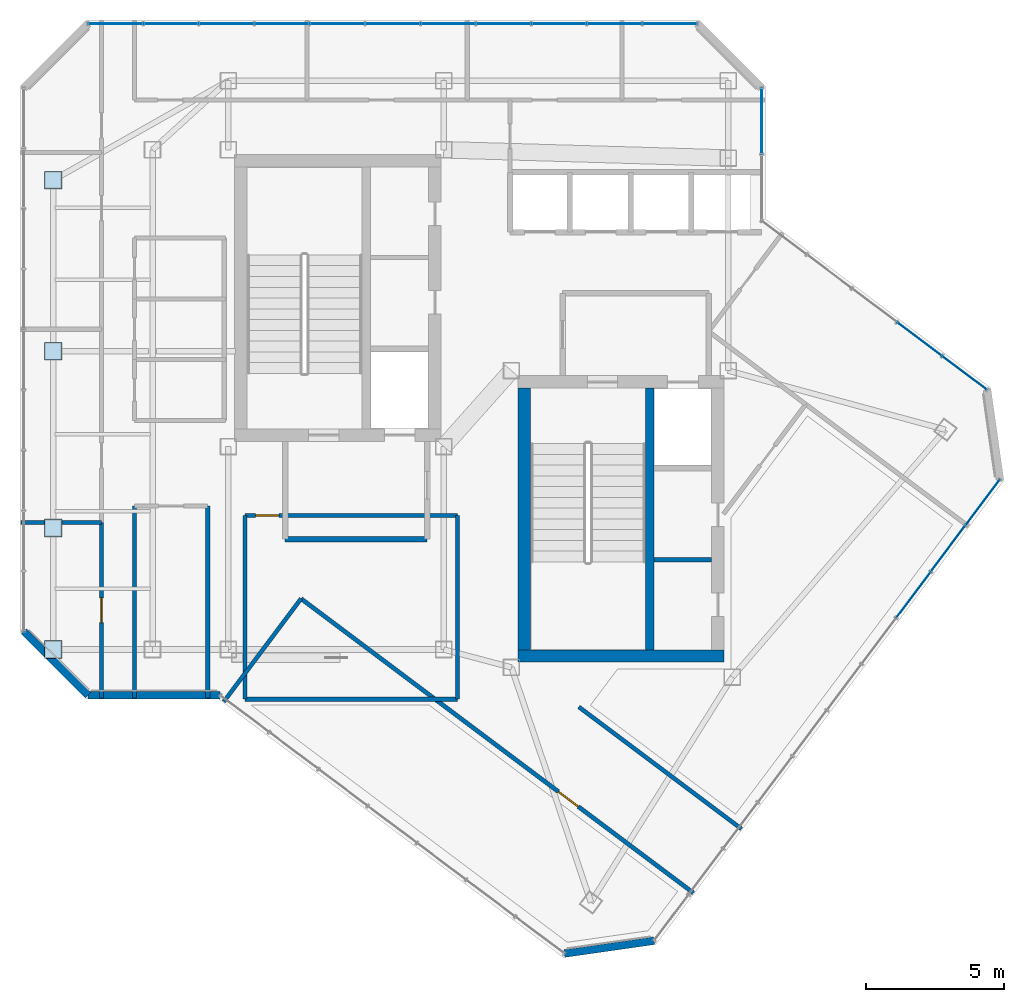
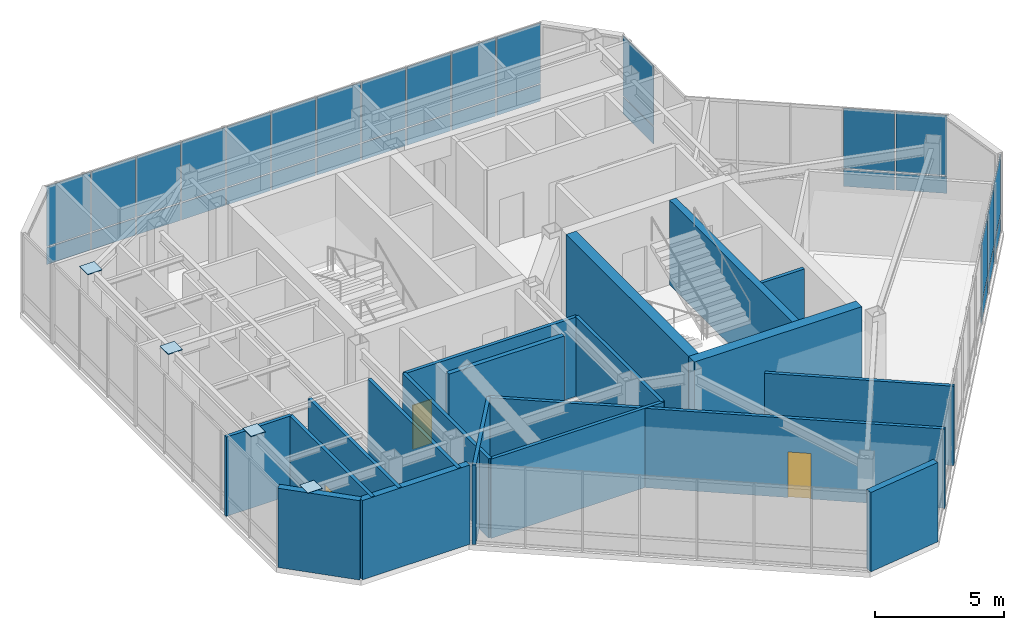
# One storey, part 26 of 31: 38 plates, 19 walls, 3 doors, 3 openings, 4 elements without a shape of their own.
"""IFC4 building model written with IfcOpenShell, lengths in metres."""

from ifc_helpers import new_model, si_unit, direction, frame, frame_2d, origin, origin_2d, place, context, subcontext, project, spatial, rectangle, extrude, material, layer, layer_set, type_object, element, fill, aggregate, save


model = new_model("IFC4")

# Units and contexts
model_context = context("Model", 3, precision=1e-05, world=origin(), true_north=direction((0.0, 1.0)))
body_context = subcontext(model_context, "Body", "Model", "MODEL_VIEW")
ifc_project = project(units=[si_unit("LENGTHUNIT", "METRE"), si_unit("AREAUNIT", "SQUARE_METRE"), si_unit("VOLUMEUNIT", "CUBIC_METRE"), si_unit("PLANEANGLEUNIT", "RADIAN"), si_unit("MASSUNIT", "GRAM", prefix="KILO")], contexts=[model_context])

# Site, building, storey
site_placement = place(None, origin())
site = spatial("IfcSite", under=ifc_project, at=site_placement, CompositionType="ELEMENT")
building_placement = place(site_placement, origin())
building = spatial("IfcBuilding", under=site, at=building_placement, Name="Hatsunagi Terrace Concourse", CompositionType="ELEMENT")
storey_placement = place(building_placement, frame((0.0, 0.0, 269.949951171875)))
storey = spatial("IfcBuildingStorey", under=building, at=storey_placement, Name="L71", CompositionType="ELEMENT", Elevation=269.949951171875)

# Plates
ifc_material_1 = material(Name="Steel SN490C", Category="steel")
ifc_layer_1 = layer(ifc_material_1, 0.031982421875)
ifc_layer_set_1 = layer_set([ifc_layer_1], Name="ColumnEndCapPlate_32")
plate_type_1 = type_object("IfcPlateType", Name="ColumnEndCapPlate_32", PredefinedType="USERDEFINED", material=ifc_layer_set_1)
for number, where, z_axis, x_axis, name in (
    (1, (19.199951171875, 25.199951171875, 3.71826171875), (0.0, 0.0, 1.0), (1.0, 0.0, 0.0), "Hollow Column Top Cap Plate GP-03 L71-WS3"),
    (2, (19.199951171875, 29.60009765625, 3.71826171875), (0.0, 0.0, 1.0), (1.0, 0.0, 0.0), "Hollow Column Top Cap Plate GP-03 L71-WR1"),
    (3, (19.199951171875, 42.199951171875, 3.71826171875), (0.0, 0.0, 1.0), (1.0, 0.0, 0.0), "Hollow Column Top Cap Plate GP-03 L71-WR2"),
    (4, (19.199951171875, 36.0, 3.71826171875), (0.0, 0.0, 1.0), (1.0, 0.0, 0.0), "Hollow Column Top Cap Plate GP-03 L71-WT2"),
):
    element("IfcPlate", number, at=place(storey_placement, frame(where, z_axis=z_axis, x_axis=x_axis)), inside=storey, type_object=plate_type_1, Name=name, ObjectType="GUSSET_PLATE", PredefinedType="USERDEFINED", context=body_context, shape_type="SweptSolid", body=[
        extrude(rectangle(XDim=0.639892578125, YDim=0.639892578125, at=origin_2d()), origin(), (0.0, 0.0, 1.0), 0.031982421875),
    ])

# Curtain wall, plates
ifc_material_2 = material(Name="Anodised Aluminium Alloy 6063-T5", Category="aluminium")
ifc_layer_2 = layer(ifc_material_2, 0.199951171875)
ifc_layer_set_2 = layer_set([ifc_layer_2], Name="CrownWintergarden_CW06")
curtain_wall_type = type_object("IfcCurtainWallType", Name="CrownWintergarden_CW06", PredefinedType="NOTDEFINED", material=ifc_layer_set_2)
curtain_wall_1_placement = place(storey_placement, origin())
curtain_wall_1 = element("IfcCurtainWall", 5, at=curtain_wall_1_placement, inside=storey, type_object=curtain_wall_type, Name="Unitised Curtain Wall CW-06 CW-L71-01", PredefinedType="NOTDEFINED")
ifc_material_3 = material(Name="Warm Terracotta Ceramic Spandrel Panel", Category="masonry")
ifc_layer_3 = layer(ifc_material_3, 0.031982421875)
ifc_layer_set_3 = layer_set([ifc_layer_3], Name="CurtainWallSpandrelPanel_32")
plate_type_2 = type_object("IfcPlateType", Name="CurtainWallSpandrelPanel_32", PredefinedType="SHEET", material=ifc_layer_set_3)
plate_1_placement = place(storey_placement, frame((50.5791015625, 36.44091796875, 0.030029296875), z_axis=(0.0, 0.0, 1.0), x_axis=(0.800023013105, -0.599969314634, 0.0)))
plate_1 = element("IfcPlate", 6, at=plate_1_placement, type_object=plate_type_2, Name="Terracotta Spandrel Panel SPN-01", PredefinedType="SHEET", context=body_context, shape_type="SweptSolid", body=[
    extrude(rectangle(XDim=1.987060546875, YDim=0.031982421875, at=origin_2d()), origin(), (0.0, 0.0, 1.0), 0.7900390625),
])
plate_2_placement = place(storey_placement, frame((52.212890625, 35.216064453125, 0.030029296875), z_axis=(0.0, 0.0, 1.0), x_axis=(0.800023013105, -0.599969314634, 0.0)))
plate_2 = element("IfcPlate", 7, at=plate_2_placement, type_object=plate_type_2, Name="Terracotta Spandrel Panel SPN-01", PredefinedType="SHEET", context=body_context, shape_type="SweptSolid", body=[
    extrude(rectangle(XDim=1.987060546875, YDim=0.031982421875, at=origin_2d()), origin(), (0.0, 0.0, 1.0), 0.7900390625),
])

curtain_wall_2_placement = place(storey_placement, origin())
curtain_wall_2 = element("IfcCurtainWall", 8, at=curtain_wall_2_placement, inside=storey, type_object=curtain_wall_type, Name="Unitised Curtain Wall CW-06 CW-L71-03", PredefinedType="NOTDEFINED")
plate_3_placement = place(storey_placement, frame((52.866943359375, 30.52294921875, 0.030029296875), z_axis=(0.0, 0.0, 1.0), x_axis=(-0.599969314634, -0.800023013105, 0.0)))
plate_3 = element("IfcPlate", 9, at=plate_3_placement, type_object=plate_type_2, Name="Terracotta Spandrel Panel SPN-01", PredefinedType="SHEET", context=body_context, shape_type="SweptSolid", body=[
    extrude(rectangle(XDim=2.032958984375, YDim=0.031982421875, at=origin_2d()), origin(), (0.0, 0.0, 1.0), 0.7900390625),
])
plate_4_placement = place(storey_placement, frame((51.614013671875, 28.85205078125, 0.030029296875), z_axis=(0.0, 0.0, 1.0), x_axis=(-0.599969314634, -0.800023013105, 0.0)))
plate_4 = element("IfcPlate", 10, at=plate_4_placement, type_object=plate_type_2, Name="Terracotta Spandrel Panel SPN-01", PredefinedType="SHEET", context=body_context, shape_type="SweptSolid", body=[
    extrude(rectangle(XDim=2.032958984375, YDim=0.031982421875, at=origin_2d()), origin(), (0.0, 0.0, 1.0), 0.7900390625),
])
plate_5_placement = place(storey_placement, frame((50.361083984375, 27.180908203125, 0.030029296875), z_axis=(0.0, 0.0, 1.0), x_axis=(-0.599969314634, -0.800023013105, 0.0)))
plate_5 = element("IfcPlate", 11, at=plate_5_placement, type_object=plate_type_2, Name="Terracotta Spandrel Panel SPN-01", PredefinedType="SHEET", context=body_context, shape_type="SweptSolid", body=[
    extrude(rectangle(XDim=2.032958984375, YDim=0.031982421875, at=origin_2d()), origin(), (0.0, 0.0, 1.0), 0.7900390625),
])

curtain_wall_3_placement = place(storey_placement, origin())
curtain_wall_3 = element("IfcCurtainWall", 12, at=curtain_wall_3_placement, inside=storey, type_object=curtain_wall_type, Name="Unitised Curtain Wall CW-06 CW-L71-10", PredefinedType="NOTDEFINED")
plate_6_placement = place(storey_placement, frame((21.4619140625, 47.860107421875, 0.030029296875), z_axis=(0.0, 0.0, 1.0), x_axis=(1.0, 0.0, 0.0)))
plate_6 = element("IfcPlate", 13, at=plate_6_placement, type_object=plate_type_2, Name="Terracotta Spandrel Panel SPN-01", PredefinedType="SHEET", context=body_context, shape_type="SweptSolid", body=[
    extrude(rectangle(XDim=1.952880859375, YDim=0.031982421875, at=origin_2d()), origin(), (0.0, 0.0, 1.0), 0.7900390625),
])
plate_7_placement = place(storey_placement, frame((23.468994140625, 47.860107421875, 0.030029296875), z_axis=(0.0, 0.0, 1.0), x_axis=(1.0, 0.0, 0.0)))
plate_7 = element("IfcPlate", 14, at=plate_7_placement, type_object=plate_type_2, Name="Terracotta Spandrel Panel SPN-01", PredefinedType="SHEET", context=body_context, shape_type="SweptSolid", body=[
    extrude(rectangle(XDim=1.952880859375, YDim=0.031982421875, at=origin_2d()), origin(), (0.0, 0.0, 1.0), 0.7900390625),
])
plate_8_placement = place(storey_placement, frame((25.47705078125, 47.860107421875, 0.030029296875), z_axis=(0.0, 0.0, 1.0), x_axis=(1.0, 0.0, 0.0)))
plate_8 = element("IfcPlate", 15, at=plate_8_placement, type_object=plate_type_2, Name="Terracotta Spandrel Panel SPN-01", PredefinedType="SHEET", context=body_context, shape_type="SweptSolid", body=[
    extrude(rectangle(XDim=1.952880859375, YDim=0.031982421875, at=origin_2d()), origin(), (0.0, 0.0, 1.0), 0.7900390625),
])
plate_9_placement = place(storey_placement, frame((27.485107421875, 47.860107421875, 0.030029296875), z_axis=(0.0, 0.0, 1.0), x_axis=(1.0, 0.0, 0.0)))
plate_9 = element("IfcPlate", 16, at=plate_9_placement, type_object=plate_type_2, Name="Terracotta Spandrel Panel SPN-01", PredefinedType="SHEET", context=body_context, shape_type="SweptSolid", body=[
    extrude(rectangle(XDim=1.952880859375, YDim=0.031982421875, at=origin_2d()), origin(), (0.0, 0.0, 1.0), 0.7900390625),
])
plate_10_placement = place(storey_placement, frame((29.491943359375, 47.860107421875, 0.030029296875), z_axis=(0.0, 0.0, 1.0), x_axis=(1.0, 0.0, 0.0)))
plate_10 = element("IfcPlate", 17, at=plate_10_placement, type_object=plate_type_2, Name="Terracotta Spandrel Panel SPN-01", PredefinedType="SHEET", context=body_context, shape_type="SweptSolid", body=[
    extrude(rectangle(XDim=1.952880859375, YDim=0.031982421875, at=origin_2d()), origin(), (0.0, 0.0, 1.0), 0.7900390625),
])
plate_11_placement = place(storey_placement, frame((31.5, 47.860107421875, 0.030029296875), z_axis=(0.0, 0.0, 1.0), x_axis=(1.0, 0.0, 0.0)))
plate_11 = element("IfcPlate", 18, at=plate_11_placement, type_object=plate_type_2, Name="Terracotta Spandrel Panel SPN-01", PredefinedType="SHEET", context=body_context, shape_type="SweptSolid", body=[
    extrude(rectangle(XDim=1.952880859375, YDim=0.031982421875, at=origin_2d()), origin(), (0.0, 0.0, 1.0), 0.7900390625),
])
plate_12_placement = place(storey_placement, frame((33.508056640625, 47.860107421875, 0.030029296875), z_axis=(0.0, 0.0, 1.0), x_axis=(1.0, 0.0, 0.0)))
plate_12 = element("IfcPlate", 19, at=plate_12_placement, type_object=plate_type_2, Name="Terracotta Spandrel Panel SPN-01", PredefinedType="SHEET", context=body_context, shape_type="SweptSolid", body=[
    extrude(rectangle(XDim=1.952880859375, YDim=0.031982421875, at=origin_2d()), origin(), (0.0, 0.0, 1.0), 0.7900390625),
])
plate_13_placement = place(storey_placement, frame((35.514892578125, 47.860107421875, 0.030029296875), z_axis=(0.0, 0.0, 1.0), x_axis=(1.0, 0.0, 0.0)))
plate_13 = element("IfcPlate", 20, at=plate_13_placement, type_object=plate_type_2, Name="Terracotta Spandrel Panel SPN-01", PredefinedType="SHEET", context=body_context, shape_type="SweptSolid", body=[
    extrude(rectangle(XDim=1.952880859375, YDim=0.031982421875, at=origin_2d()), origin(), (0.0, 0.0, 1.0), 0.7900390625),
])
plate_14_placement = place(storey_placement, frame((37.52294921875, 47.860107421875, 0.030029296875), z_axis=(0.0, 0.0, 1.0), x_axis=(1.0, 0.0, 0.0)))
plate_14 = element("IfcPlate", 21, at=plate_14_placement, type_object=plate_type_2, Name="Terracotta Spandrel Panel SPN-01", PredefinedType="SHEET", context=body_context, shape_type="SweptSolid", body=[
    extrude(rectangle(XDim=1.952880859375, YDim=0.031982421875, at=origin_2d()), origin(), (0.0, 0.0, 1.0), 0.7900390625),
])
plate_15_placement = place(storey_placement, frame((39.531005859375, 47.860107421875, 0.030029296875), z_axis=(0.0, 0.0, 1.0), x_axis=(1.0, 0.0, 0.0)))
plate_15 = element("IfcPlate", 22, at=plate_15_placement, type_object=plate_type_2, Name="Terracotta Spandrel Panel SPN-01", PredefinedType="SHEET", context=body_context, shape_type="SweptSolid", body=[
    extrude(rectangle(XDim=1.952880859375, YDim=0.031982421875, at=origin_2d()), origin(), (0.0, 0.0, 1.0), 0.7900390625),
])
plate_16_placement = place(storey_placement, frame((41.5380859375, 47.860107421875, 0.030029296875), z_axis=(0.0, 0.0, 1.0), x_axis=(1.0, 0.0, 0.0)))
plate_16 = element("IfcPlate", 23, at=plate_16_placement, type_object=plate_type_2, Name="Terracotta Spandrel Panel SPN-01", PredefinedType="SHEET", context=body_context, shape_type="SweptSolid", body=[
    extrude(rectangle(XDim=1.952880859375, YDim=0.031982421875, at=origin_2d()), origin(), (0.0, 0.0, 1.0), 0.7900390625),
])

# Curtain wall, plate
curtain_wall_4_placement = place(storey_placement, origin())
curtain_wall_4 = element("IfcCurtainWall", 24, at=curtain_wall_4_placement, inside=storey, type_object=curtain_wall_type, Name="Unitised Curtain Wall CW-06 CW-L71-12", PredefinedType="NOTDEFINED")
plate_17_placement = place(storey_placement, frame((44.860107421875, 44.339111328125, 0.030029296875), z_axis=(0.0, 0.0, 1.0), x_axis=(0.0, -1.0, 0.0)))
plate_17 = element("IfcPlate", 25, at=plate_17_placement, type_object=plate_type_2, Name="Terracotta Spandrel Panel SPN-01", PredefinedType="SHEET", context=body_context, shape_type="SweptSolid", body=[
    extrude(rectangle(XDim=2.35107421875, YDim=0.031982421875, at=origin_2d()), origin(), (0.0, 0.0, 1.0), 0.7900390625),
])

# Plate
ifc_material_4 = material(Name="Low-E Double Insulating Glass 28mm", Category="glass")
ifc_layer_4 = layer(ifc_material_4, 0.028076171875)
ifc_layer_set_4 = layer_set([ifc_layer_4], Name="CurtainWallVisionGlass_28")
plate_type_3 = type_object("IfcPlateType", Name="CurtainWallVisionGlass_28", PredefinedType="CURTAIN_PANEL", material=ifc_layer_set_4)
plate_18_placement = place(storey_placement, frame((50.5791015625, 36.44091796875, 0.880126953125), z_axis=(0.0, 0.0, 1.0), x_axis=(0.800023013105, -0.599969314634, 0.0)))
plate_18 = element("IfcPlate", 26, at=plate_18_placement, type_object=plate_type_3, Name="Low-E Vision Glass Panel GLZ-01", PredefinedType="CURTAIN_PANEL", context=body_context, shape_type="SweptSolid", body=[
    extrude(rectangle(XDim=1.987060546875, YDim=0.028076171875, at=origin_2d()), origin(), (0.0, 0.0, 1.0), 2.830078125),
])

plate_19_placement = place(storey_placement, frame((52.212890625, 35.216064453125, 0.880126953125), z_axis=(0.0, 0.0, 1.0), x_axis=(0.800023013105, -0.599969314634, 0.0)))
plate_19 = element("IfcPlate", 27, at=plate_19_placement, type_object=plate_type_3, Name="Low-E Vision Glass Panel GLZ-01", PredefinedType="CURTAIN_PANEL", context=body_context, shape_type="SweptSolid", body=[
    extrude(rectangle(XDim=1.987060546875, YDim=0.028076171875, at=origin_2d()), origin(), (0.0, 0.0, 1.0), 2.830078125),
])

aggregate(curtain_wall_1, [plate_1, plate_18, plate_2, plate_19])

plate_20_placement = place(storey_placement, frame((52.866943359375, 30.52294921875, 0.880126953125), z_axis=(0.0, 0.0, 1.0), x_axis=(-0.599969314634, -0.800023013105, 0.0)))
plate_20 = element("IfcPlate", 28, at=plate_20_placement, type_object=plate_type_3, Name="Low-E Vision Glass Panel GLZ-01", PredefinedType="CURTAIN_PANEL", context=body_context, shape_type="SweptSolid", body=[
    extrude(rectangle(XDim=2.032958984375, YDim=0.028076171875, at=origin_2d()), origin(), (0.0, 0.0, 1.0), 2.830078125),
])

plate_21_placement = place(storey_placement, frame((51.614013671875, 28.85205078125, 0.880126953125), z_axis=(0.0, 0.0, 1.0), x_axis=(-0.599969314634, -0.800023013105, 0.0)))
plate_21 = element("IfcPlate", 29, at=plate_21_placement, type_object=plate_type_3, Name="Low-E Vision Glass Panel GLZ-01", PredefinedType="CURTAIN_PANEL", context=body_context, shape_type="SweptSolid", body=[
    extrude(rectangle(XDim=2.032958984375, YDim=0.028076171875, at=origin_2d()), origin(), (0.0, 0.0, 1.0), 2.830078125),
])

plate_22_placement = place(storey_placement, frame((50.361083984375, 27.180908203125, 0.880126953125), z_axis=(0.0, 0.0, 1.0), x_axis=(-0.599969314634, -0.800023013105, 0.0)))
plate_22 = element("IfcPlate", 30, at=plate_22_placement, type_object=plate_type_3, Name="Low-E Vision Glass Panel GLZ-01", PredefinedType="CURTAIN_PANEL", context=body_context, shape_type="SweptSolid", body=[
    extrude(rectangle(XDim=2.032958984375, YDim=0.028076171875, at=origin_2d()), origin(), (0.0, 0.0, 1.0), 2.830078125),
])

aggregate(curtain_wall_2, [plate_3, plate_20, plate_4, plate_21, plate_5, plate_22])

plate_23_placement = place(storey_placement, frame((21.4619140625, 47.860107421875, 0.880126953125), z_axis=(0.0, 0.0, 1.0), x_axis=(1.0, 0.0, 0.0)))
plate_23 = element("IfcPlate", 31, at=plate_23_placement, type_object=plate_type_3, Name="Low-E Vision Glass Panel GLZ-01", PredefinedType="CURTAIN_PANEL", context=body_context, shape_type="SweptSolid", body=[
    extrude(rectangle(XDim=1.952880859375, YDim=0.028076171875, at=origin_2d()), origin(), (0.0, 0.0, 1.0), 2.830078125),
])

plate_24_placement = place(storey_placement, frame((23.468994140625, 47.860107421875, 0.880126953125), z_axis=(0.0, 0.0, 1.0), x_axis=(1.0, 0.0, 0.0)))
plate_24 = element("IfcPlate", 32, at=plate_24_placement, type_object=plate_type_3, Name="Low-E Vision Glass Panel GLZ-01", PredefinedType="CURTAIN_PANEL", context=body_context, shape_type="SweptSolid", body=[
    extrude(rectangle(XDim=1.952880859375, YDim=0.028076171875, at=origin_2d()), origin(), (0.0, 0.0, 1.0), 2.830078125),
])

plate_25_placement = place(storey_placement, frame((25.47705078125, 47.860107421875, 0.880126953125), z_axis=(0.0, 0.0, 1.0), x_axis=(1.0, 0.0, 0.0)))
plate_25 = element("IfcPlate", 33, at=plate_25_placement, type_object=plate_type_3, Name="Low-E Vision Glass Panel GLZ-01", PredefinedType="CURTAIN_PANEL", context=body_context, shape_type="SweptSolid", body=[
    extrude(rectangle(XDim=1.952880859375, YDim=0.028076171875, at=origin_2d()), origin(), (0.0, 0.0, 1.0), 2.830078125),
])

plate_26_placement = place(storey_placement, frame((27.485107421875, 47.860107421875, 0.880126953125), z_axis=(0.0, 0.0, 1.0), x_axis=(1.0, 0.0, 0.0)))
plate_26 = element("IfcPlate", 34, at=plate_26_placement, type_object=plate_type_3, Name="Low-E Vision Glass Panel GLZ-01", PredefinedType="CURTAIN_PANEL", context=body_context, shape_type="SweptSolid", body=[
    extrude(rectangle(XDim=1.952880859375, YDim=0.028076171875, at=origin_2d()), origin(), (0.0, 0.0, 1.0), 2.830078125),
])

plate_27_placement = place(storey_placement, frame((29.491943359375, 47.860107421875, 0.880126953125), z_axis=(0.0, 0.0, 1.0), x_axis=(1.0, 0.0, 0.0)))
plate_27 = element("IfcPlate", 35, at=plate_27_placement, type_object=plate_type_3, Name="Low-E Vision Glass Panel GLZ-01", PredefinedType="CURTAIN_PANEL", context=body_context, shape_type="SweptSolid", body=[
    extrude(rectangle(XDim=1.952880859375, YDim=0.028076171875, at=origin_2d()), origin(), (0.0, 0.0, 1.0), 2.830078125),
])

plate_28_placement = place(storey_placement, frame((31.5, 47.860107421875, 0.880126953125), z_axis=(0.0, 0.0, 1.0), x_axis=(1.0, 0.0, 0.0)))
plate_28 = element("IfcPlate", 36, at=plate_28_placement, type_object=plate_type_3, Name="Low-E Vision Glass Panel GLZ-01", PredefinedType="CURTAIN_PANEL", context=body_context, shape_type="SweptSolid", body=[
    extrude(rectangle(XDim=1.952880859375, YDim=0.028076171875, at=origin_2d()), origin(), (0.0, 0.0, 1.0), 2.830078125),
])

plate_29_placement = place(storey_placement, frame((33.508056640625, 47.860107421875, 0.880126953125), z_axis=(0.0, 0.0, 1.0), x_axis=(1.0, 0.0, 0.0)))
plate_29 = element("IfcPlate", 37, at=plate_29_placement, type_object=plate_type_3, Name="Low-E Vision Glass Panel GLZ-01", PredefinedType="CURTAIN_PANEL", context=body_context, shape_type="SweptSolid", body=[
    extrude(rectangle(XDim=1.952880859375, YDim=0.028076171875, at=origin_2d()), origin(), (0.0, 0.0, 1.0), 2.830078125),
])

plate_30_placement = place(storey_placement, frame((35.514892578125, 47.860107421875, 0.880126953125), z_axis=(0.0, 0.0, 1.0), x_axis=(1.0, 0.0, 0.0)))
plate_30 = element("IfcPlate", 38, at=plate_30_placement, type_object=plate_type_3, Name="Low-E Vision Glass Panel GLZ-01", PredefinedType="CURTAIN_PANEL", context=body_context, shape_type="SweptSolid", body=[
    extrude(rectangle(XDim=1.952880859375, YDim=0.028076171875, at=origin_2d()), origin(), (0.0, 0.0, 1.0), 2.830078125),
])

plate_31_placement = place(storey_placement, frame((37.52294921875, 47.860107421875, 0.880126953125), z_axis=(0.0, 0.0, 1.0), x_axis=(1.0, 0.0, 0.0)))
plate_31 = element("IfcPlate", 39, at=plate_31_placement, type_object=plate_type_3, Name="Low-E Vision Glass Panel GLZ-01", PredefinedType="CURTAIN_PANEL", context=body_context, shape_type="SweptSolid", body=[
    extrude(rectangle(XDim=1.952880859375, YDim=0.028076171875, at=origin_2d()), origin(), (0.0, 0.0, 1.0), 2.830078125),
])

plate_32_placement = place(storey_placement, frame((39.531005859375, 47.860107421875, 0.880126953125), z_axis=(0.0, 0.0, 1.0), x_axis=(1.0, 0.0, 0.0)))
plate_32 = element("IfcPlate", 40, at=plate_32_placement, type_object=plate_type_3, Name="Low-E Vision Glass Panel GLZ-01", PredefinedType="CURTAIN_PANEL", context=body_context, shape_type="SweptSolid", body=[
    extrude(rectangle(XDim=1.952880859375, YDim=0.028076171875, at=origin_2d()), origin(), (0.0, 0.0, 1.0), 2.830078125),
])

plate_33_placement = place(storey_placement, frame((41.5380859375, 47.860107421875, 0.880126953125), z_axis=(0.0, 0.0, 1.0), x_axis=(1.0, 0.0, 0.0)))
plate_33 = element("IfcPlate", 41, at=plate_33_placement, type_object=plate_type_3, Name="Low-E Vision Glass Panel GLZ-01", PredefinedType="CURTAIN_PANEL", context=body_context, shape_type="SweptSolid", body=[
    extrude(rectangle(XDim=1.952880859375, YDim=0.028076171875, at=origin_2d()), origin(), (0.0, 0.0, 1.0), 2.830078125),
])

aggregate(curtain_wall_3, [plate_6, plate_23, plate_7, plate_24, plate_8, plate_25, plate_9, plate_26, plate_10, plate_27, plate_11, plate_28, plate_12, plate_29, plate_13, plate_30, plate_14, plate_31, plate_15, plate_32, plate_16, plate_33])

plate_34_placement = place(storey_placement, frame((44.860107421875, 44.339111328125, 0.880126953125), z_axis=(0.0, 0.0, 1.0), x_axis=(0.0, -1.0, 0.0)))
plate_34 = element("IfcPlate", 42, at=plate_34_placement, type_object=plate_type_3, Name="Low-E Vision Glass Panel GLZ-01", PredefinedType="CURTAIN_PANEL", context=body_context, shape_type="SweptSolid", body=[
    extrude(rectangle(XDim=2.35107421875, YDim=0.028076171875, at=origin_2d()), origin(), (0.0, 0.0, 1.0), 2.830078125),
])

aggregate(curtain_wall_4, [plate_17, plate_34])

# Walls
ifc_material_5 = material(Name="Concrete Fc42", Category="concrete")
ifc_layer_5 = layer(ifc_material_5, 0.449951171875)
ifc_layer_set_5 = layer_set([ifc_layer_5], Name="CoreShearWall_Fc42_450")
wall_type_1 = type_object("IfcWallType", Name="CoreShearWall_Fc42_450", PredefinedType="SHEAR", material=ifc_layer_set_5)
wall_1_placement = place(storey_placement, frame((36.0400390625, 24.965087890625, 0.0), z_axis=(0.0, 0.0, 1.0), x_axis=(1.0, 0.0, 0.0)))
element("IfcWall", 43, at=wall_1_placement, inside=storey, type_object=wall_type_1, Name="Core B Shear Wall S L71", PredefinedType="SHEAR", context=body_context, shape_type="SweptSolid", body=[
    extrude(rectangle(XDim=7.4599609375, YDim=0.449951171875, at=frame_2d((3.72998046875, 0.0))), origin(), (0.0, 0.0, 1.0), 4.0),
])
wall_2_placement = place(storey_placement, frame((36.264892578125, 25.18994140625, 0.0), z_axis=(0.0, 0.0, 1.0), x_axis=(0.0, 1.0, 0.0)))
element("IfcWall", 44, at=wall_2_placement, inside=storey, type_object=wall_type_1, Name="Core B Shear Wall W L71", PredefinedType="SHEAR", context=body_context, shape_type="SweptSolid", body=[
    extrude(rectangle(XDim=9.47998046875, YDim=0.449951171875, at=frame_2d((4.739990234375, 0.0))), origin(), (0.0, 0.0, 1.0), 4.0),
])
ifc_material_6 = material(Name="Concrete Fc48", Category="concrete")
ifc_layer_6 = layer(ifc_material_6, 0.300048828125)
ifc_layer_set_6 = layer_set([ifc_layer_6], Name="CoreStairDivider_Fc48_300")
wall_type_2 = type_object("IfcWallType", Name="CoreStairDivider_Fc48_300", PredefinedType="SHEAR", material=ifc_layer_set_6)
wall_3_placement = place(storey_placement, frame((40.81005859375, 25.18994140625, 0.0), z_axis=(0.0, 0.0, 1.0), x_axis=(0.0, 1.0, 0.0)))
element("IfcWall", 45, at=wall_3_placement, inside=storey, type_object=wall_type_2, Name="Core B Shear Wall D L71", PredefinedType="SHEAR", context=body_context, shape_type="SweptSolid", body=[
    extrude(rectangle(XDim=9.47998046875, YDim=0.300048828125, at=frame_2d((4.739990234375, 0.0))), origin(), (0.0, 0.0, 1.0), 4.0),
])
ifc_material_7 = material(Name="Acoustic mineral board", Category="gypsum")
ifc_layer_7 = layer(ifc_material_7, 0.14990234375)
ifc_layer_set_7 = layer_set([ifc_layer_7], Name="PartitionWall_EI60_150")
wall_type_3 = type_object("IfcWallType", Name="PartitionWall_EI60_150", PredefinedType="PARTITIONING", material=ifc_layer_set_7)
wall_4_placement = place(storey_placement, frame((40.969970703125, 28.449951171875, 0.0), z_axis=(0.0, 0.0, 1.0), x_axis=(1.0, 0.0, 0.0)))
element("IfcWall", 46, at=wall_4_placement, inside=storey, type_object=wall_type_3, Name="Interior Partition IW-L71-004", PredefinedType="PARTITIONING", context=body_context, shape_type="SweptSolid", body=[
    extrude(rectangle(XDim=2.080078125, YDim=0.14990234375, at=frame_2d((1.0400390625, 0.0))), origin(), (0.0, 0.0, 1.0), 3.739990234375),
])
wall_5_placement = place(storey_placement, frame((26.14990234375, 23.39990234375, 0.0), z_axis=(0.0, 0.0, 1.0), x_axis=(1.0, 0.0, 0.0)))
element("IfcWall", 47, at=wall_5_placement, inside=storey, type_object=wall_type_3, Name="Interior Partition IW-L71-025", PredefinedType="PARTITIONING", context=body_context, shape_type="SweptSolid", body=[
    extrude(rectangle(XDim=7.7001953125, YDim=0.14990234375, at=frame_2d((3.85009765625, 0.0))), origin(), (0.0, 0.0, 1.0), 3.739990234375),
])

# Wall, opening, door
wall_6_placement = place(storey_placement, frame((26.14990234375, 30.050048828125, 0.0), z_axis=(0.0, 0.0, 1.0), x_axis=(1.0, 0.0, 0.0)))
wall_6 = element("IfcWall", 48, at=wall_6_placement, inside=storey, type_object=wall_type_3, Name="Interior Partition IW-L71-026", PredefinedType="PARTITIONING", context=body_context, shape_type="SweptSolid", body=[
    extrude(rectangle(XDim=7.7001953125, YDim=0.14990234375, at=frame_2d((3.85009765625, 0.0))), origin(), (0.0, 0.0, 1.0), 3.739990234375),
])
opening_1_placement = place(wall_6_placement, frame((0.3798828125, 0.0, 0.0)))
opening_1 = element("IfcOpeningElement", 49, at=opening_1_placement, cuts=wall_6, Name="Opening DR-085", PredefinedType="OPENING", context=body_context, shape_type="SweptSolid", body=[
    extrude(rectangle(XDim=0.85009765625, YDim=2.080078125, at=frame_2d((0.425048828125, 1.0400390625))), frame((0.0, 0.0849609375, 0.0), z_axis=(0.0, -1.0, 0.0), x_axis=(1.0, 0.0, 0.0)), (0.0, 0.0, 1.0), 0.169921875),
])
ifc_material_8 = material(Name="Painted steel", Category="steel")
door_type_1 = type_object("IfcDoorType", Name="RiserAccessDoor_EI60_850", OperationType="NOTDEFINED", PredefinedType="DOOR", material=ifc_material_8)
door_1_placement = place(opening_1_placement, origin())
door_1 = element("IfcDoor", 50, at=door_1_placement, inside=storey, type_object=door_type_1, Name="Crown Executive Suite L71-RECL1 Door", OperationType="SINGLE_SWING_RIGHT", OverallHeight=2.080078125, OverallWidth=0.85009765625, PredefinedType="DOOR", context=body_context, shape_type="SweptSolid", body=[
    extrude(rectangle(XDim=0.85009765625, YDim=2.080078125, at=frame_2d((0.425048828125, 1.0400390625))), frame((0.0, 0.02490234375, 0.0), z_axis=(0.0, -1.0, 0.0), x_axis=(1.0, 0.0, 0.0)), (0.0, 0.0, 1.0), 0.050048828125),
])
fill(opening_1, door_1)

# Walls
for number, where, z_axis, x_axis, name in (
    (51, (26.14990234375, 23.39990234375, 0.0), (0.0, 0.0, 1.0), (0.0, 1.0, 0.0), "Interior Partition IW-L71-027"),
    (52, (33.85009765625, 23.39990234375, 0.0), (0.0, 0.0, 1.0), (0.0, 1.0, 0.0), "Interior Partition IW-L71-028"),
):
    element("IfcWall", number, at=place(storey_placement, frame(where, z_axis=z_axis, x_axis=x_axis)), inside=storey, type_object=wall_type_3, Name=name, PredefinedType="PARTITIONING", context=body_context, shape_type="SweptSolid", body=[
        extrude(rectangle(XDim=6.650146484375, YDim=0.14990234375, at=frame_2d((3.3251953125, 0.0))), origin(), (0.0, 0.0, 1.0), 3.739990234375),
    ])

# Wall, opening, door
wall_7_placement = place(storey_placement, frame((28.179931640625, 27.0400390625, 0.0), z_axis=(0.0, 0.0, 1.0), x_axis=(0.8, -0.6, 0.0)))
wall_7 = element("IfcWall", 53, at=wall_7_placement, inside=storey, type_object=wall_type_3, Name="Interior Partition IW-L71-038", PredefinedType="PARTITIONING", context=body_context, shape_type="SweptSolid", body=[
    extrude(rectangle(XDim=17.760009765625, YDim=0.14990234375, at=frame_2d((8.8798828125, 0.0))), origin(), (0.0, 0.0, 1.0), 3.739990234375),
])
opening_2_placement = place(wall_7_placement, frame((11.64990234375, 0.0, 0.0)))
opening_2 = element("IfcOpeningElement", 54, at=opening_2_placement, cuts=wall_7, Name="Opening DR-090", PredefinedType="OPENING", context=body_context, shape_type="SweptSolid", body=[
    extrude(rectangle(XDim=0.89990234375, YDim=2.14990234375, at=frame_2d((0.449951171875, 1.074951171875))), frame((0.0, 0.0849609375, 0.0), z_axis=(0.0, -1.0, 0.0), x_axis=(1.0, 0.0, 0.0)), (0.0, 0.0, 1.0), 0.169921875),
])
ifc_material_9 = material(Name="Hardwood timber", Category="wood")
door_type_2 = type_object("IfcDoorType", Name="CrownPavilionDoor_EI30_900", OperationType="NOTDEFINED", PredefinedType="DOOR", material=ifc_material_9)
door_2_placement = place(opening_2_placement, origin())
door_2 = element("IfcDoor", 55, at=door_2_placement, inside=storey, type_object=door_type_2, Name="Design Studio L71-CRSWS Door", OperationType="SINGLE_SWING_LEFT", OverallHeight=2.14990234375, OverallWidth=0.89990234375, PredefinedType="DOOR", context=body_context, shape_type="SweptSolid", body=[
    extrude(rectangle(XDim=0.89990234375, YDim=2.14990234375, at=frame_2d((0.449951171875, 1.074951171875))), frame((0.0, 0.02490234375, 0.0), z_axis=(0.0, -1.0, 0.0), x_axis=(1.0, 0.0, 0.0)), (0.0, 0.0, 1.0), 0.050048828125),
])
fill(opening_2, door_2)

# Walls
wall_8_placement = place(storey_placement, frame((25.384033203125, 23.31201171875, 0.0), z_axis=(0.0, 0.0, 1.0), x_axis=(0.599983234706, 0.800012573696, 0.0)))
element("IfcWall", 56, at=wall_8_placement, inside=storey, type_object=wall_type_3, Name="Interior Partition IW-L71-039", PredefinedType="PARTITIONING", context=body_context, shape_type="SweptSolid", body=[
    extrude(rectangle(XDim=4.659912109375, YDim=0.14990234375, at=frame_2d((2.330078125, 0.0))), origin(), (0.0, 0.0, 1.0), 3.739990234375),
])
wall_9_placement = place(storey_placement, frame((18.0400390625, 29.800048828125, 0.0), z_axis=(0.0, 0.0, 1.0), x_axis=(1.0, 0.0, 0.0)))
element("IfcWall", 57, at=wall_9_placement, inside=storey, type_object=wall_type_3, Name="Interior Partition IW-L71-040", PredefinedType="PARTITIONING", context=body_context, shape_type="SweptSolid", body=[
    extrude(rectangle(XDim=2.909912109375, YDim=0.14990234375, at=frame_2d((1.455078125, 0.0))), origin(), (0.0, 0.0, 1.0), 3.739990234375),
])

# Wall, opening, door
wall_10_placement = place(storey_placement, frame((20.949951171875, 23.43994140625, 0.0), z_axis=(0.0, 0.0, 1.0), x_axis=(0.0, 1.0, 0.0)))
wall_10 = element("IfcWall", 58, at=wall_10_placement, inside=storey, type_object=wall_type_3, Name="Interior Partition IW-L71-041", PredefinedType="PARTITIONING", context=body_context, shape_type="SweptSolid", body=[
    extrude(rectangle(XDim=6.360107421875, YDim=0.14990234375, at=frame_2d((3.18017578125, 0.0))), origin(), (0.0, 0.0, 1.0), 3.739990234375),
])
opening_3_placement = place(wall_10_placement, frame((2.72998046875, 0.0, 0.0)))
opening_3 = element("IfcOpeningElement", 59, at=opening_3_placement, cuts=wall_10, Name="Opening DR-090", PredefinedType="OPENING", context=body_context, shape_type="SweptSolid", body=[
    extrude(rectangle(XDim=0.89990234375, YDim=2.14990234375, at=frame_2d((0.449951171875, 1.074951171875))), frame((0.0, 0.0849609375, 0.0), z_axis=(0.0, -1.0, 0.0), x_axis=(1.0, 0.0, 0.0)), (0.0, 0.0, 1.0), 0.169921875),
])
door_3_placement = place(opening_3_placement, origin())
door_3 = element("IfcDoor", 60, at=door_3_placement, inside=storey, type_object=door_type_2, Name="Crown Executive Suite L71-CRW1 Door", OperationType="SINGLE_SWING_RIGHT", OverallHeight=2.14990234375, OverallWidth=0.89990234375, PredefinedType="DOOR", context=body_context, shape_type="SweptSolid", body=[
    extrude(rectangle(XDim=0.89990234375, YDim=2.14990234375, at=frame_2d((0.449951171875, 1.074951171875))), frame((0.0, 0.02490234375, 0.0), z_axis=(0.0, -1.0, 0.0), x_axis=(1.0, 0.0, 0.0)), (0.0, 0.0, 1.0), 0.050048828125),
])
fill(opening_3, door_3)

# Walls
for number, where, z_axis, x_axis, name in (
    (61, (22.14990234375, 23.43994140625, 0.0), (0.0, 0.0, 1.0), (0.0, 1.0, 0.0), "Interior Partition IW-L71-048"),
    (62, (24.800048828125, 23.43994140625, 0.0), (0.0, 0.0, 1.0), (0.0, 1.0, 0.0), "Interior Partition IW-L71-049"),
):
    element("IfcWall", number, at=place(storey_placement, frame(where, z_axis=z_axis, x_axis=x_axis)), inside=storey, type_object=wall_type_3, Name=name, PredefinedType="PARTITIONING", context=body_context, shape_type="SweptSolid", body=[
        extrude(rectangle(XDim=6.9599609375, YDim=0.14990234375, at=frame_2d((3.47998046875, 0.0))), origin(), (0.0, 0.0, 1.0), 3.739990234375),
    ])
wall_11_placement = place(storey_placement, frame((38.239990234375, 23.1201171875, 0.0), z_axis=(0.0, 0.0, 1.0), x_axis=(0.799996019408, -0.60000530742, 0.0)))
element("IfcWall", 63, at=wall_11_placement, inside=storey, type_object=wall_type_3, Name="Interior Partition IW-L71-050", PredefinedType="PARTITIONING", context=body_context, shape_type="SweptSolid", body=[
    extrude(rectangle(XDim=7.35986328125, YDim=0.14990234375, at=frame_2d((3.679931640625, 0.0))), origin(), (0.0, 0.0, 1.0), 3.739990234375),
])
ifc_material_10 = material(Name="Acoustic mineral board", Category="gypsum")
ifc_layer_8 = layer(ifc_material_10, 0.199951171875)
ifc_layer_set_8 = layer_set([ifc_layer_8], Name="ShaftWall_EI120_200")
wall_type_4 = type_object("IfcWallType", Name="ShaftWall_EI120_200", PredefinedType="STANDARD", material=ifc_layer_set_8)
wall_12_placement = place(storey_placement, frame((27.60009765625, 29.199951171875, 0.0), z_axis=(0.0, 0.0, 1.0), x_axis=(1.0, 0.0, 0.0)))
element("IfcWall", 64, at=wall_12_placement, inside=storey, type_object=wall_type_4, Name="Interior Partition IW-L71-005", PredefinedType="STANDARD", context=body_context, shape_type="SweptSolid", body=[
    extrude(rectangle(XDim=5.14990234375, YDim=0.199951171875, at=frame_2d((2.574951171875, 0.0))), origin(), (0.0, 0.0, 1.0), 3.739990234375),
])
ifc_material_11 = material(Name="Autoclaved Lightweight Concrete and Terracotta Cladding", Category="masonry")
ifc_layer_9 = layer(ifc_material_11, 0.280029296875)
ifc_layer_set_9 = layer_set([ifc_layer_9], Name="TerracottaSpandrelWall_280")
wall_type_5 = type_object("IfcWallType", Name="TerracottaSpandrelWall_280", PredefinedType="STANDARD", material=ifc_layer_set_9)
wall_13_placement = place(storey_placement, frame((40.962890625, 14.64990234375, 0.0), z_axis=(0.0, 0.0, 1.0), x_axis=(-0.989977778067, -0.141223223777, 0.0)))
element("IfcWall", 65, at=wall_13_placement, inside=storey, type_object=wall_type_5, Name="Exterior Spandrel Wall EW-L71-04", PredefinedType="STANDARD", context=body_context, shape_type="SweptSolid", body=[
    extrude(rectangle(XDim=3.27783203125, YDim=0.280029296875, at=frame_2d((1.638916015625, 0.0))), origin(), (0.0, 0.0, 1.0), 3.739990234375),
])
wall_14_placement = place(storey_placement, frame((25.2470703125, 23.5400390625, 0.0), z_axis=(0.0, 0.0, 1.0), x_axis=(-1.0, 0.0, 0.0)))
element("IfcWall", 66, at=wall_14_placement, inside=storey, type_object=wall_type_5, Name="Exterior Spandrel Wall EW-L71-06", PredefinedType="STANDARD", context=body_context, shape_type="SweptSolid", body=[
    extrude(rectangle(XDim=4.7890625, YDim=0.280029296875, at=frame_2d((2.39453125, 0.0))), origin(), (0.0, 0.0, 1.0), 3.739990234375),
])
wall_15_placement = place(storey_placement, frame((20.4580078125, 23.5400390625, 0.0), z_axis=(0.0, 0.0, 1.0), x_axis=(-0.707144017911, 0.707069542501, 0.0)))
element("IfcWall", 67, at=wall_15_placement, inside=storey, type_object=wall_type_5, Name="Exterior Spandrel Wall EW-L71-07", PredefinedType="STANDARD", context=body_context, shape_type="SweptSolid", body=[
    extrude(rectangle(XDim=3.278076171875, YDim=0.280029296875, at=frame_2d((1.63916015625, 0.0))), origin(), (0.0, 0.0, 1.0), 3.739990234375),
])

save(model, "model.ifc")
